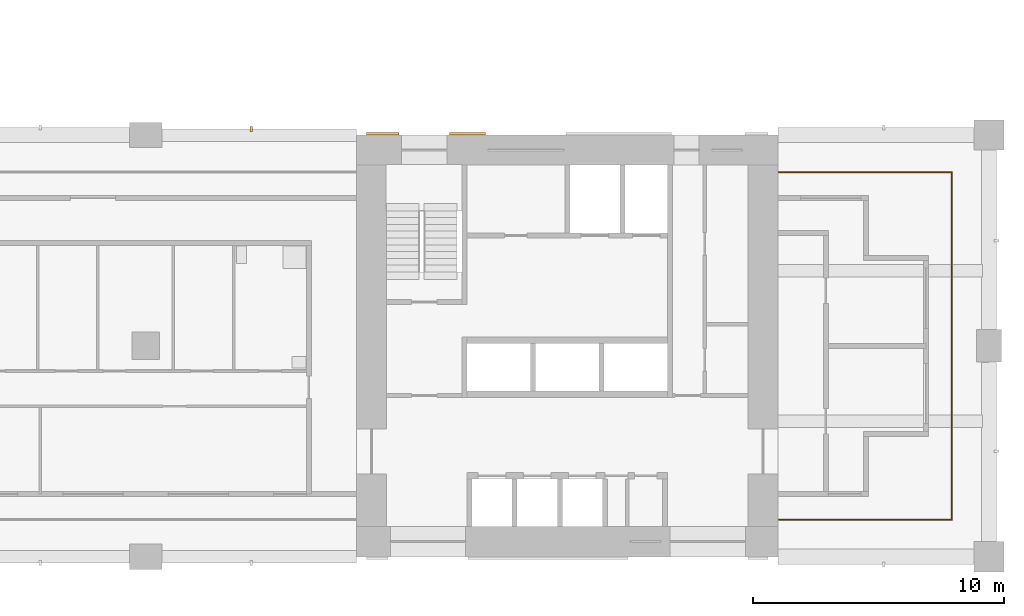
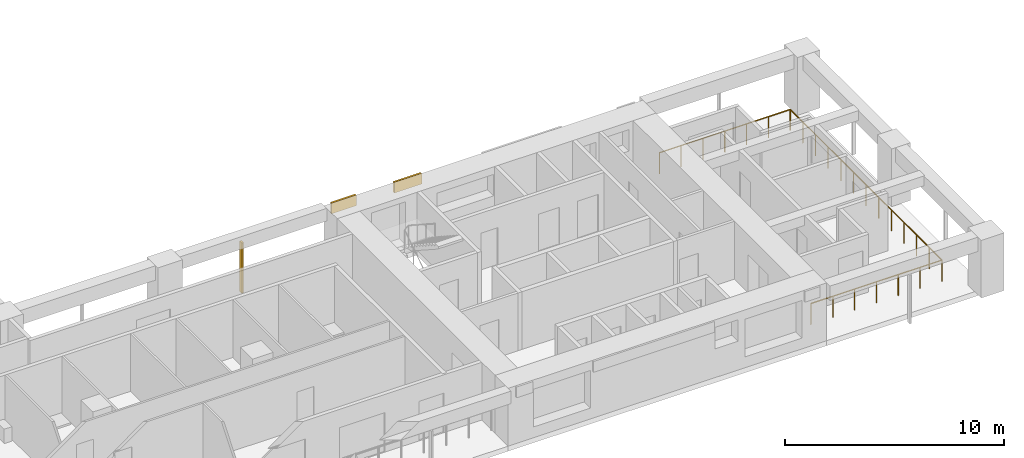
# One storey, part 12 of 16: 3 shading devices, 1 railing.
"""IFC4 building model written with IfcOpenShell, lengths in metres."""

from ifc_helpers import new_model, si_unit, direction, frame, origin, origin_2d, place, context, subcontext, project, spatial, rectangle, circle, extrude, material, layer, layer_set, material_profile, profile_set, type_object, element, save


model = new_model("IFC4")

# Units and contexts
model_context = context("Model", 3, precision=1e-05, world=origin(), true_north=direction((0.0, 1.0)))
body_context = subcontext(model_context, "Body", "Model", "MODEL_VIEW")
ifc_project = project(units=[si_unit("LENGTHUNIT", "METRE"), si_unit("AREAUNIT", "SQUARE_METRE"), si_unit("VOLUMEUNIT", "CUBIC_METRE"), si_unit("PLANEANGLEUNIT", "RADIAN"), si_unit("MASSUNIT", "GRAM", prefix="KILO")], contexts=[model_context])

# Site, building, storey
site_placement = place(None, origin())
site = spatial("IfcSite", under=ifc_project, at=site_placement, CompositionType="ELEMENT")
building_placement = place(site_placement, origin())
building = spatial("IfcBuilding", under=site, at=building_placement, Name="Vermilion Gate Residences", CompositionType="ELEMENT")
storey_placement = place(building_placement, frame((0.0, 0.0, 130.199951171875)))
storey = spatial("IfcBuildingStorey", under=building, at=storey_placement, Name="L33", CompositionType="ELEMENT", Elevation=130.199951171875)

# Railing
ifc_material_1 = material(Name="Stainless steel and toughened glass", Category="steel")
railing_type = type_object("IfcRailingType", Name="LOGGIA GUARD STEEL AND GLASS 1200", PredefinedType="GUARDRAIL", material=ifc_material_1)
railing_placement = place(storey_placement, frame((58.822021484375, 9.875, 0.0)))
element("IfcRailing", 1, at=railing_placement, inside=storey, type_object=railing_type, Name="Loggia guard", PredefinedType="GUARDRAIL", context=body_context, shape_type="SweptSolid", body=[
    extrude(circle(Radius=0.030029296875, at=origin_2d()), frame((0.0, 0.0, 1.169921875), z_axis=(1.0, 0.0, 0.0), x_axis=(0.0, 1.0, 0.0)), (0.0, 0.0, 1.0), 6.903076171875),
    extrude(circle(Radius=0.030029296875, at=origin_2d()), frame((6.903076171875, 0.0, 1.169921875), z_axis=(0.0, 1.0, 0.0), x_axis=(-1.0, 0.0, 0.0)), (0.0, 0.0, 1.0), 13.85009765625),
    extrude(circle(Radius=0.030029296875, at=origin_2d()), frame((6.903076171875, 13.85009765625, 1.169921875), z_axis=(-1.0, 0.0, 0.0), x_axis=(0.0, -1.0, 0.0)), (0.0, 0.0, 1.0), 6.903076171875),
    extrude(circle(Radius=0.02490234375, at=origin_2d()), origin(), (0.0, 0.0, 1.0), 1.139892578125),
    extrude(circle(Radius=0.02490234375, at=origin_2d()), frame((1.150390625, 0.0, 0.0)), (0.0, 0.0, 1.0), 1.139892578125),
    extrude(circle(Radius=0.02490234375, at=origin_2d()), frame((2.301025390625, 0.0, 0.0)), (0.0, 0.0, 1.0), 1.139892578125),
    extrude(circle(Radius=0.02490234375, at=origin_2d()), frame((3.45166015625, 0.0, 0.0)), (0.0, 0.0, 1.0), 1.139892578125),
    extrude(circle(Radius=0.02490234375, at=origin_2d()), frame((4.60205078125, 0.0, 0.0)), (0.0, 0.0, 1.0), 1.139892578125),
    extrude(circle(Radius=0.02490234375, at=origin_2d()), frame((5.75244140625, 0.0, 0.0)), (0.0, 0.0, 1.0), 1.139892578125),
    extrude(circle(Radius=0.02490234375, at=origin_2d()), frame((6.903076171875, 0.0, 0.0)), (0.0, 0.0, 1.0), 1.139892578125),
    extrude(circle(Radius=0.02490234375, at=origin_2d()), frame((6.903076171875, 1.154296875, 0.0)), (0.0, 0.0, 1.0), 1.139892578125),
    extrude(circle(Radius=0.02490234375, at=origin_2d()), frame((6.903076171875, 2.308349609375, 0.0)), (0.0, 0.0, 1.0), 1.139892578125),
    extrude(circle(Radius=0.02490234375, at=origin_2d()), frame((6.903076171875, 3.46240234375, 0.0)), (0.0, 0.0, 1.0), 1.139892578125),
    extrude(circle(Radius=0.02490234375, at=origin_2d()), frame((6.903076171875, 4.61669921875, 0.0)), (0.0, 0.0, 1.0), 1.139892578125),
    extrude(circle(Radius=0.02490234375, at=origin_2d()), frame((6.903076171875, 5.77099609375, 0.0)), (0.0, 0.0, 1.0), 1.139892578125),
    extrude(circle(Radius=0.02490234375, at=origin_2d()), frame((6.903076171875, 6.925048828125, 0.0)), (0.0, 0.0, 1.0), 1.139892578125),
    extrude(circle(Radius=0.02490234375, at=origin_2d()), frame((6.903076171875, 8.0791015625, 0.0)), (0.0, 0.0, 1.0), 1.139892578125),
    extrude(circle(Radius=0.02490234375, at=origin_2d()), frame((6.903076171875, 9.2333984375, 0.0)), (0.0, 0.0, 1.0), 1.139892578125),
    extrude(circle(Radius=0.02490234375, at=origin_2d()), frame((6.903076171875, 10.3876953125, 0.0)), (0.0, 0.0, 1.0), 1.139892578125),
    extrude(circle(Radius=0.02490234375, at=origin_2d()), frame((6.903076171875, 11.541748046875, 0.0)), (0.0, 0.0, 1.0), 1.139892578125),
    extrude(circle(Radius=0.02490234375, at=origin_2d()), frame((6.903076171875, 12.69580078125, 0.0)), (0.0, 0.0, 1.0), 1.139892578125),
    extrude(circle(Radius=0.02490234375, at=origin_2d()), frame((6.903076171875, 13.85009765625, 0.0)), (0.0, 0.0, 1.0), 1.139892578125),
    extrude(circle(Radius=0.02490234375, at=origin_2d()), frame((5.75244140625, 13.85009765625, 0.0)), (0.0, 0.0, 1.0), 1.139892578125),
    extrude(circle(Radius=0.02490234375, at=origin_2d()), frame((4.60205078125, 13.85009765625, 0.0)), (0.0, 0.0, 1.0), 1.139892578125),
    extrude(circle(Radius=0.02490234375, at=origin_2d()), frame((3.45166015625, 13.85009765625, 0.0)), (0.0, 0.0, 1.0), 1.139892578125),
    extrude(circle(Radius=0.02490234375, at=origin_2d()), frame((2.301025390625, 13.85009765625, 0.0)), (0.0, 0.0, 1.0), 1.139892578125),
    extrude(circle(Radius=0.02490234375, at=origin_2d()), frame((1.150390625, 13.85009765625, 0.0)), (0.0, 0.0, 1.0), 1.139892578125),
    extrude(circle(Radius=0.02490234375, at=origin_2d()), frame((0.0, 13.85009765625, 0.0)), (0.0, 0.0, 1.0), 1.139892578125),
])

# Shading devices
ifc_material_2 = material(Name="Extruded terracotta", Category="masonry")
ifc_material_profile = material_profile(ifc_material_2, rectangle(XDim=0.199951171875, YDim=0.10009765625, at=origin_2d()), Name="BAGUETTE 100 X 200")
ifc_profile_set = profile_set([ifc_material_profile], Name="Extruded terracotta")
shading_device_type_1 = type_object("IfcShadingDeviceType", Name="TERRACOTTA BAGUETTE 100 X 200", PredefinedType="JALOUSIE", material=ifc_profile_set)
shading_device_1_placement = place(storey_placement, frame((37.800048828125, 25.449951171875, -0.280029296875), z_axis=(0.0, 0.0, 1.0), x_axis=(0.0, -1.0, 0.0)))
element("IfcShadingDevice", 2, at=shading_device_1_placement, inside=storey, type_object=shading_device_type_1, Name="BAGUETTE", PredefinedType="JALOUSIE", context=body_context, shape_type="SweptSolid", body=[
    extrude(rectangle(XDim=0.199951171875, YDim=0.10009765625, at=origin_2d()), origin(), (0.0, 0.0, 1.0), 2.800048828125),
])
ifc_material_3 = material(Name="Extruded terracotta", Category="masonry")
ifc_layer = layer(ifc_material_3, 0.10009765625)
ifc_layer_set = layer_set([ifc_layer], Name="TERRACOTTA SPANDREL BAND 600 X 100")
shading_device_type_2 = type_object("IfcShadingDeviceType", Name="TERRACOTTA SPANDREL BAND 600 X 100", PredefinedType="USERDEFINED", material=ifc_layer_set)
shading_device_2_placement = place(storey_placement, frame((43.050048828125, 25.25, 2.6201171875), z_axis=(0.0, 0.0, 1.0), x_axis=(1.0, 0.0, 0.0)))
element("IfcShadingDevice", 3, at=shading_device_2_placement, inside=storey, type_object=shading_device_type_2, Name="SPANDREL BAND", ObjectType="BAND", PredefinedType="USERDEFINED", context=body_context, shape_type="SweptSolid", body=[
    extrude(rectangle(XDim=1.300048828125, YDim=0.10009765625, at=origin_2d()), origin(), (0.0, 0.0, 1.0), 0.60009765625),
])
shading_device_3_placement = place(storey_placement, frame((46.425048828125, 25.25, 2.6201171875), z_axis=(0.0, 0.0, 1.0), x_axis=(1.0, 0.0, 0.0)))
element("IfcShadingDevice", 4, at=shading_device_3_placement, inside=storey, type_object=shading_device_type_2, Name="SPANDREL BAND", ObjectType="BAND", PredefinedType="USERDEFINED", context=body_context, shape_type="SweptSolid", body=[
    extrude(rectangle(XDim=1.449951171875, YDim=0.10009765625, at=origin_2d()), origin(), (0.0, 0.0, 1.0), 0.60009765625),
])

save(model, "model.ifc")
